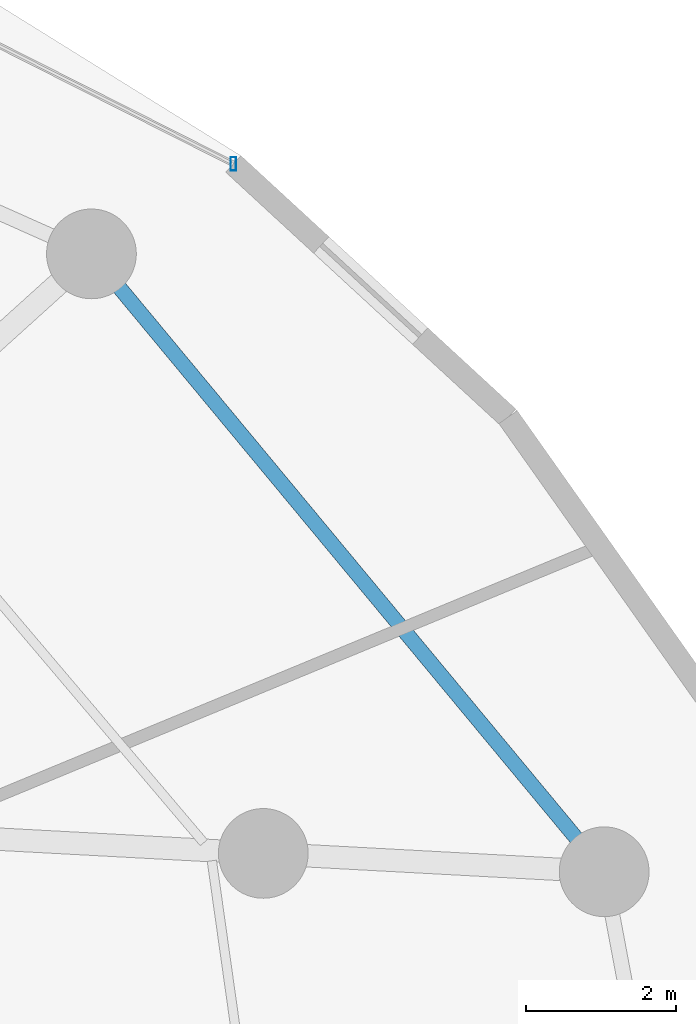
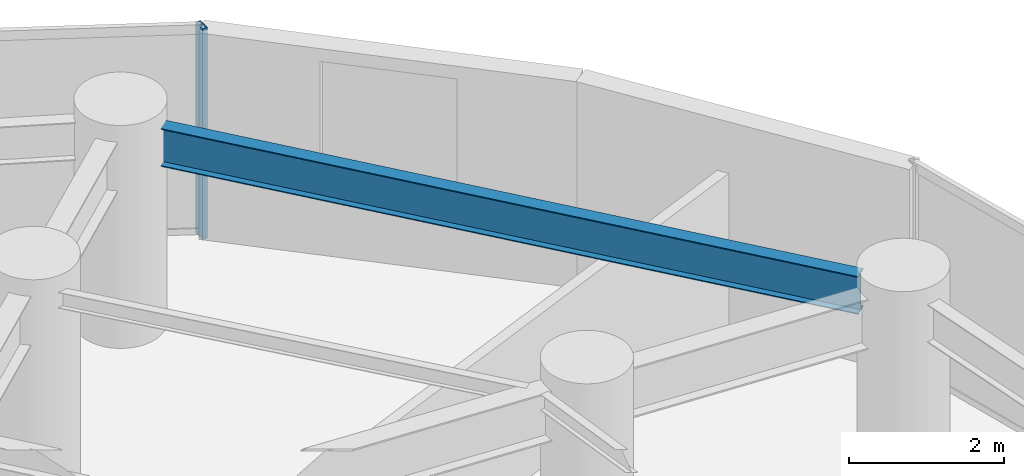
# One storey, part 25 of 35: 1 beam, 1 member, 1 element without a shape of its own.
"""IFC4 building model written with IfcOpenShell, lengths in metres."""

from ifc_helpers import new_model, si_unit, direction, frame, origin, origin_2d, place, context, subcontext, project, spatial, hollow_rectangle, i_section, extrude, material, material_profile, profile_set, type_object, element, aggregate, save


model = new_model("IFC4")

# Units and contexts
model_context = context("Model", 3, precision=1e-05, world=origin(), true_north=direction((0.0, 1.0)))
body_context = subcontext(model_context, "Body", "Model", "MODEL_VIEW")
ifc_project = project(units=[si_unit("LENGTHUNIT", "METRE"), si_unit("AREAUNIT", "SQUARE_METRE"), si_unit("VOLUMEUNIT", "CUBIC_METRE"), si_unit("PLANEANGLEUNIT", "RADIAN"), si_unit("MASSUNIT", "GRAM", prefix="KILO")], contexts=[model_context])

# Site, building, storey
site_placement = place(None, origin())
site = spatial("IfcSite", under=ifc_project, at=site_placement, CompositionType="ELEMENT")
building_placement = place(site_placement, origin())
building = spatial("IfcBuilding", under=site, at=building_placement, Name="Vorneva Point Tower", CompositionType="ELEMENT")
storey_placement = place(building_placement, frame((0.0, 0.0, 52.0)))
storey = spatial("IfcBuildingStorey", under=building, at=storey_placement, Name="L13", CompositionType="ELEMENT", Elevation=52.0)

# Beam
ifc_material_1 = material(Name="Steel S355", Category="steel")
ifc_material_profile_1 = material_profile(ifc_material_1, i_section(OverallWidth=0.198974609375, OverallDepth=0.595947265625, WebThickness=0.010009765625, FlangeThickness=0.014892578125, at=origin_2d()), Name="60B1")
ifc_profile_set_1 = profile_set([ifc_material_profile_1], Name="Steel S355")
beam_type = type_object("IfcBeamType", Name="BM-SPN-60B1", PredefinedType="SPANDREL", material=ifc_profile_set_1)
beam_placement = place(storey_placement, frame((63.48095703125, 32.786865234375, 2.94189453125), z_axis=(-0.63859176117, 0.769545685821, 0.0), x_axis=(-0.769545685821, -0.63859176117, 0.0)))
element("IfcBeam", 1, at=beam_placement, inside=storey, type_object=beam_type, Name="L13 Perimeter Spandrel Ring Beam 02", PredefinedType="SPANDREL", context=body_context, shape_type="SweptSolid", body=[
    extrude(i_section(OverallWidth=0.198974609375, OverallDepth=0.595947265625, WebThickness=0.010009765625, FlangeThickness=0.014892578125, at=origin_2d()), origin(), (0.0, 0.0, 1.0), 9.567626953125),
])

# Curtain wall, member
ifc_material_2 = material(Name="Pale anodised aluminium", Category="aluminium")
curtain_wall_type = type_object("IfcCurtainWallType", Name="CW-HTL-SYS", PredefinedType="NOTDEFINED", material=ifc_material_2)
curtain_wall_placement = place(storey_placement, origin())
curtain_wall = element("IfcCurtainWall", 2, at=curtain_wall_placement, inside=storey, type_object=curtain_wall_type, Name="L13 Unitised Curtain Wall CW-L13-R02", PredefinedType="NOTDEFINED")
ifc_material_profile_2 = material_profile(ifc_material_2, hollow_rectangle(XDim=0.074951171875, YDim=0.179931640625, WallThickness=0.00390625, at=origin_2d()), Name="AL-MUL 180x75x4")
ifc_profile_set_2 = profile_set([ifc_material_profile_2], Name="Pale anodised aluminium")
member_type = type_object("IfcMemberType", Name="CW-MUL-180", PredefinedType="MULLION", material=ifc_profile_set_2)
member_placement = place(storey_placement, frame((58.89501953125, 41.8037109375, -0.0400390625), z_axis=(0.0, 0.0, 1.0), x_axis=(1.0, 0.0, 0.0)))
member = element("IfcMember", 3, at=member_placement, type_object=member_type, Name="CW-L13-R02 Mullion 01", PredefinedType="MULLION", context=body_context, shape_type="SweptSolid", body=[
    extrude(hollow_rectangle(XDim=0.074951171875, YDim=0.179931640625, WallThickness=0.00390625, at=origin_2d()), origin(), (0.0, 0.0, 1.0), 3.31005859375),
])
aggregate(curtain_wall, [member])

save(model, "model.ifc")
